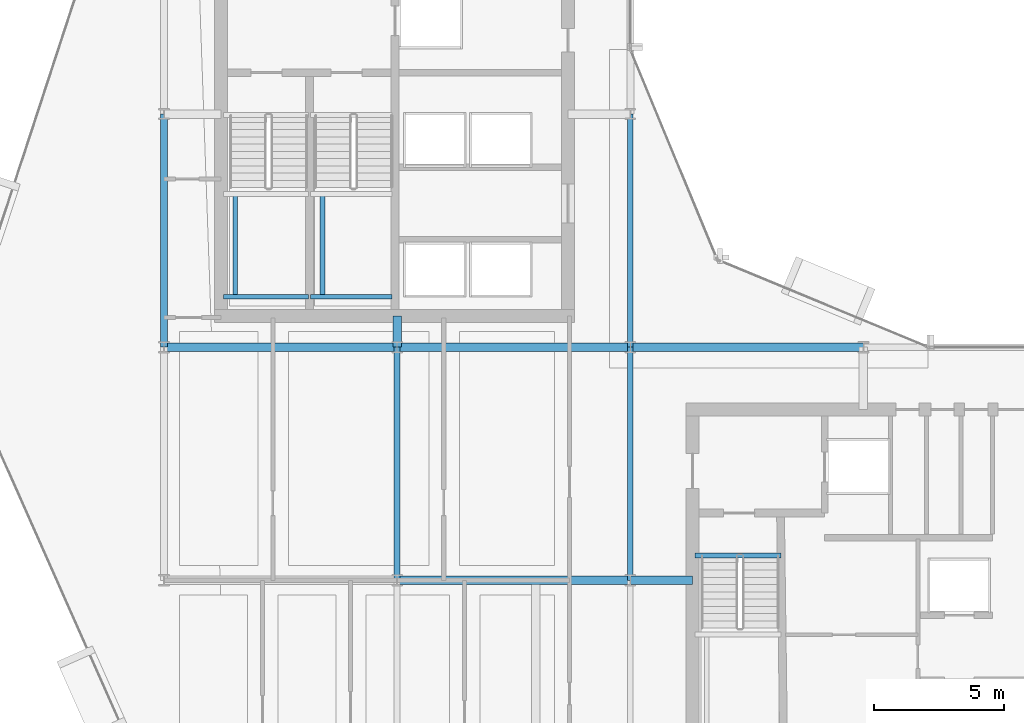
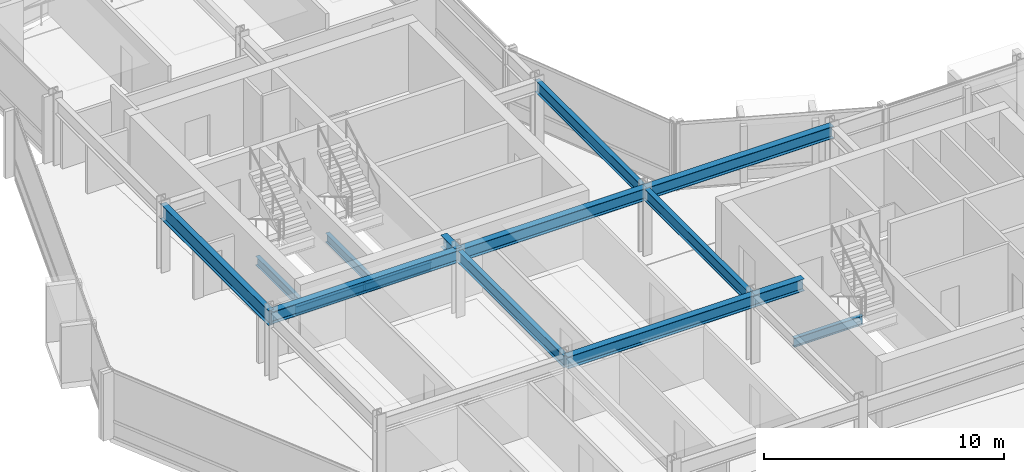
# One storey, part 7 of 28: 15 beams.
"""IFC4 building model written with IfcOpenShell, lengths in metres."""

from ifc_helpers import new_model, si_unit, direction, frame, origin, origin_2d, place, context, subcontext, project, spatial, i_section, extrude, material, material_profile, profile_set, type_object, element, save


model = new_model("IFC4")

# Units and contexts
model_context = context("Model", 3, precision=1e-05, world=origin(), true_north=direction((0.0, 1.0)))
body_context = subcontext(model_context, "Body", "Model", "MODEL_VIEW")
ifc_project = project(units=[si_unit("LENGTHUNIT", "METRE"), si_unit("AREAUNIT", "SQUARE_METRE"), si_unit("VOLUMEUNIT", "CUBIC_METRE"), si_unit("PLANEANGLEUNIT", "RADIAN"), si_unit("MASSUNIT", "GRAM", prefix="KILO")], contexts=[model_context])

# Site, building, storey
site_placement = place(None, origin())
site = spatial("IfcSite", under=ifc_project, at=site_placement, CompositionType="ELEMENT")
building_placement = place(site_placement, origin())
building = spatial("IfcBuilding", under=site, at=building_placement, Name="Solvaryn Broadcast Tower", CompositionType="ELEMENT")
storey_placement = place(building_placement, frame((0.0, 0.0, 150.699951171875)))
storey = spatial("IfcBuildingStorey", under=building, at=storey_placement, Name="L37", CompositionType="ELEMENT", Elevation=150.699951171875)

# Beams
ifc_material_1 = material(Name="Steel ASTM A992 Grade 50", Category="steel")
ifc_material_profile_1 = material_profile(ifc_material_1, i_section(OverallWidth=0.323974609375, OverallDepth=0.611083984375, WebThickness=0.0126953125, FlangeThickness=0.01904296875, FilletRadius=0.014892578125, at=origin_2d()))
ifc_profile_set_1 = profile_set([ifc_material_profile_1], Name="Steel ASTM A992 Grade 50")
beam_type_1 = type_object("IfcBeamType", Name="BM-B1-W24X104", PredefinedType="BEAM", material=ifc_profile_set_1)
for number, where, z_axis, x_axis, name in (
    (1, (18.0, 18.0, 3.114501953125), (1.0, 0.0, 0.0), (0.0, 1.0, 0.0), "L37 Primary Beam X (18-27 @ Y=18)"),
    (2, (9.0, 27.0, 3.114501953125), (1.0, 0.0, 0.0), (0.0, 1.0, 0.0), "L37 Primary Beam X (9-18 @ Y=27)"),
    (3, (18.0, 27.0, 3.114501953125), (1.0, 0.0, 0.0), (0.0, 1.0, 0.0), "L37 Primary Beam X (18-27 @ Y=27)"),
    (4, (27.0, 27.0, 3.114501953125), (1.0, 0.0, 0.0), (0.0, 1.0, 0.0), "L37 Primary Beam X (27-36 @ Y=27)"),
):
    element("IfcBeam", number, at=place(storey_placement, frame(where, z_axis=z_axis, x_axis=x_axis)), inside=storey, type_object=beam_type_1, Name=name, PredefinedType="BEAM", context=body_context, shape_type="SweptSolid", body=[
        extrude(i_section(OverallWidth=0.323974609375, OverallDepth=0.611083984375, WebThickness=0.0126953125, FlangeThickness=0.01904296875, FilletRadius=0.014892578125, at=origin_2d()), origin(), (0.0, 0.0, 1.0), 9.0),
    ])
beam_1_placement = place(storey_placement, frame((18.0, 27.0, 3.114501953125), z_axis=(0.0, 1.0, 0.0), x_axis=(-1.0, 0.0, 0.0)))
element("IfcBeam", 5, at=beam_1_placement, inside=storey, type_object=beam_type_1, Name="L37 Core Tie Beam CTW4", PredefinedType="BEAM", context=body_context, shape_type="SweptSolid", body=[
    extrude(i_section(OverallWidth=0.323974609375, OverallDepth=0.611083984375, WebThickness=0.0126953125, FlangeThickness=0.01904296875, FilletRadius=0.014892578125, at=origin_2d()), origin(), (0.0, 0.0, 1.0), 1.199951171875),
])
beam_2_placement = place(storey_placement, frame((27.0, 18.0, 3.114501953125), z_axis=(1.0, 0.0, 0.0), x_axis=(0.0, 1.0, 0.0)))
element("IfcBeam", 6, at=beam_2_placement, inside=storey, type_object=beam_type_1, Name="L37 Core Tie Beam CTE4", PredefinedType="BEAM", context=body_context, shape_type="SweptSolid", body=[
    extrude(i_section(OverallWidth=0.323974609375, OverallDepth=0.611083984375, WebThickness=0.0126953125, FlangeThickness=0.01904296875, FilletRadius=0.014892578125, at=origin_2d()), origin(), (0.0, 0.0, 1.0), 2.39990234375),
])
ifc_material_2 = material(Name="Steel ASTM A992 Grade 50", Category="steel")
ifc_material_profile_2 = material_profile(ifc_material_2, i_section(OverallWidth=0.22802734375, OverallDepth=0.60791015625, WebThickness=0.01123046875, FlangeThickness=0.017333984375, FilletRadius=0.014892578125, at=origin_2d()))
ifc_profile_set_2 = profile_set([ifc_material_profile_2], Name="Steel ASTM A992 Grade 50")
beam_type_2 = type_object("IfcBeamType", Name="BM-B2-W24X76", PredefinedType="BEAM", material=ifc_profile_set_2)
for number, where, z_axis, x_axis, name in (
    (7, (18.0, 18.0, 3.115966796875), (0.0, 1.0, 0.0), (-1.0, 0.0, 0.0), "L37 Primary Beam Y (18-27 @ X=18)"),
    (8, (27.0, 18.0, 3.115966796875), (0.0, 1.0, 0.0), (-1.0, 0.0, 0.0), "L37 Primary Beam Y (18-27 @ X=27)"),
    (9, (27.0, 27.0, 3.115966796875), (0.0, 1.0, 0.0), (-1.0, 0.0, 0.0), "L37 Primary Beam Y (27-36 @ X=27)"),
):
    element("IfcBeam", number, at=place(storey_placement, frame(where, z_axis=z_axis, x_axis=x_axis)), inside=storey, type_object=beam_type_2, Name=name, PredefinedType="BEAM", context=body_context, shape_type="SweptSolid", body=[
        extrude(i_section(OverallWidth=0.22802734375, OverallDepth=0.60791015625, WebThickness=0.01123046875, FlangeThickness=0.017333984375, FilletRadius=0.014892578125, at=origin_2d()), origin(), (0.0, 0.0, 1.0), 9.0),
    ])
ifc_material_3 = material(Name="Steel ASTM A992 Grade 50", Category="steel")
ifc_material_profile_3 = material_profile(ifc_material_3, i_section(OverallWidth=0.18994140625, OverallDepth=0.45703125, WebThickness=0.009033203125, FlangeThickness=0.014404296875, FilletRadius=0.011962890625, at=origin_2d()))
ifc_profile_set_3 = profile_set([ifc_material_profile_3], Name="Steel ASTM A992 Grade 50")
beam_type_3 = type_object("IfcBeamType", Name="BM-B4-W18X50", PredefinedType="BEAM", material=ifc_profile_set_3)
beam_3_placement = place(storey_placement, frame((11.300048828125, 28.949951171875, 1.421630859375), z_axis=(1.0, 0.0, 0.0), x_axis=(0.0, 1.0, 0.0)))
element("IfcBeam", 10, at=beam_3_placement, inside=storey, type_object=beam_type_3, Name="L37 ST1 Landing Support Beam 1A", PredefinedType="BEAM", context=body_context, shape_type="SweptSolid", body=[
    extrude(i_section(OverallWidth=0.18994140625, OverallDepth=0.45703125, WebThickness=0.009033203125, FlangeThickness=0.014404296875, FilletRadius=0.011962890625, at=origin_2d()), origin(), (0.0, 0.0, 1.0), 3.280029296875),
])
beam_4_placement = place(storey_placement, frame((11.75, 28.949951171875, 1.421630859375), z_axis=(0.0, 1.0, 0.0), x_axis=(-1.0, 0.0, 0.0)))
element("IfcBeam", 11, at=beam_4_placement, inside=storey, type_object=beam_type_3, Name="L37 ST1 Landing Cross Stringer 1C", PredefinedType="BEAM", context=body_context, shape_type="SweptSolid", body=[
    extrude(i_section(OverallWidth=0.18994140625, OverallDepth=0.45703125, WebThickness=0.009033203125, FlangeThickness=0.014404296875, FilletRadius=0.011962890625, at=origin_2d()), origin(), (0.0, 0.0, 1.0), 3.9599609375),
])
beam_5_placement = place(storey_placement, frame((14.659912109375, 28.949951171875, 1.421630859375), z_axis=(1.0, 0.0, 0.0), x_axis=(0.0, 1.0, 0.0)))
element("IfcBeam", 12, at=beam_5_placement, inside=storey, type_object=beam_type_3, Name="L37 ST2 Landing Support Beam 1A", PredefinedType="BEAM", context=body_context, shape_type="SweptSolid", body=[
    extrude(i_section(OverallWidth=0.18994140625, OverallDepth=0.45703125, WebThickness=0.009033203125, FlangeThickness=0.014404296875, FilletRadius=0.011962890625, at=origin_2d()), origin(), (0.0, 0.0, 1.0), 3.14013671875),
])
beam_6_placement = place(storey_placement, frame((15.110107421875, 28.949951171875, 1.421630859375), z_axis=(0.0, 1.0, 0.0), x_axis=(-1.0, 0.0, 0.0)))
element("IfcBeam", 13, at=beam_6_placement, inside=storey, type_object=beam_type_3, Name="L37 ST2 Landing Cross Stringer 1C", PredefinedType="BEAM", context=body_context, shape_type="SweptSolid", body=[
    extrude(i_section(OverallWidth=0.18994140625, OverallDepth=0.45703125, WebThickness=0.009033203125, FlangeThickness=0.014404296875, FilletRadius=0.011962890625, at=origin_2d()), origin(), (0.0, 0.0, 1.0), 3.9599609375),
])
beam_7_placement = place(storey_placement, frame((29.5, 18.9599609375, -0.508544921875), z_axis=(1.0, 0.0, 0.0), x_axis=(0.0, 1.0, 0.0)))
element("IfcBeam", 14, at=beam_7_placement, inside=storey, type_object=beam_type_3, Name="L37 ST3 Stair Well Trimmer Beam", PredefinedType="BEAM", context=body_context, shape_type="SweptSolid", body=[
    extrude(i_section(OverallWidth=0.18994140625, OverallDepth=0.45703125, WebThickness=0.009033203125, FlangeThickness=0.014404296875, FilletRadius=0.011962890625, at=origin_2d()), origin(), (0.0, 0.0, 1.0), 3.320068359375),
])
ifc_material_4 = material(Name="Steel ASTM A992 Grade 50", Category="steel")
ifc_material_profile_4 = material_profile(ifc_material_4, i_section(OverallWidth=0.26708984375, OverallDepth=0.76611328125, WebThickness=0.014892578125, FlangeThickness=0.023681640625, FilletRadius=0.01806640625, at=origin_2d()))
ifc_profile_set_4 = profile_set([ifc_material_profile_4], Name="Steel ASTM A992 Grade 50")
beam_type_4 = type_object("IfcBeamType", Name="BM-SP2-W30X124", PredefinedType="USERDEFINED", material=ifc_profile_set_4)
beam_8_placement = place(storey_placement, frame((9.0, 27.0, 3.037109375), z_axis=(0.0, 1.0, 0.0), x_axis=(-1.0, 0.0, 0.0)))
element("IfcBeam", 15, at=beam_8_placement, inside=storey, type_object=beam_type_4, Name="L37 Spandrel Beam Y (27-36 @ X=9)", ObjectType="SPANDREL", PredefinedType="USERDEFINED", context=body_context, shape_type="SweptSolid", body=[
    extrude(i_section(OverallWidth=0.26708984375, OverallDepth=0.76611328125, WebThickness=0.014892578125, FlangeThickness=0.023681640625, FilletRadius=0.01806640625, at=origin_2d()), origin(), (0.0, 0.0, 1.0), 9.0),
])

save(model, "model.ifc")
